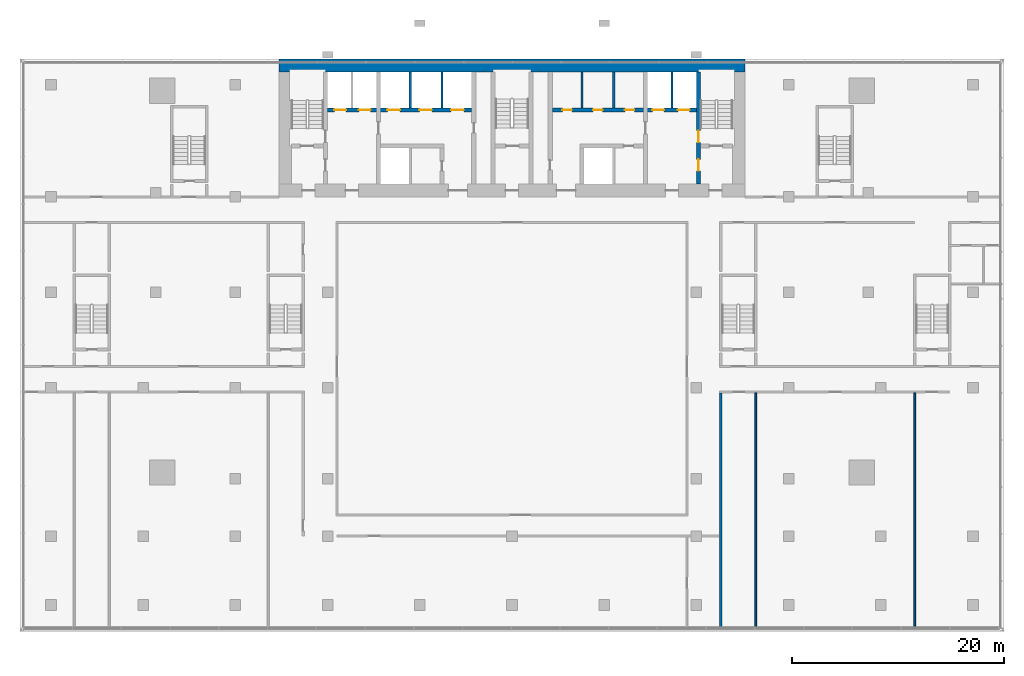
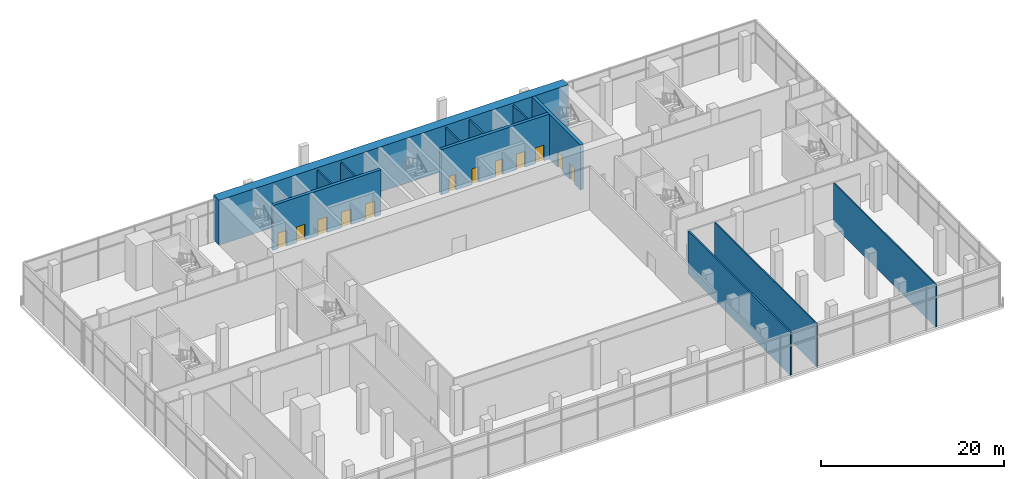
# One storey, part 14 of 21: 12 doors, 12 walls, 12 openings.
"""IFC4 building model written with IfcOpenShell, lengths in metres."""

from ifc_helpers import new_model, si_unit, direction, frame, frame_2d, origin, place, context, subcontext, project, spatial, rectangle, extrude, material, layer, layer_set, type_object, element, fill, save


model = new_model("IFC4")

# Units and contexts
model_context = context("Model", 3, precision=1e-05, world=origin(), true_north=direction((0.0, 1.0)))
body_context = subcontext(model_context, "Body", "Model", "MODEL_VIEW")
ifc_project = project(units=[si_unit("LENGTHUNIT", "METRE"), si_unit("AREAUNIT", "SQUARE_METRE"), si_unit("VOLUMEUNIT", "CUBIC_METRE"), si_unit("PLANEANGLEUNIT", "RADIAN"), si_unit("MASSUNIT", "GRAM", prefix="KILO")], contexts=[model_context])

# Site, building, storey
site_placement = place(None, origin())
site = spatial("IfcSite", under=ifc_project, at=site_placement, CompositionType="ELEMENT")
building_placement = place(site_placement, origin())
building = spatial("IfcBuilding", under=site, at=building_placement, Name="Bicima Exchange Tower", CompositionType="ELEMENT")
storey_placement = place(building_placement, frame((0.0, 0.0, 8.0)))
storey = spatial("IfcBuildingStorey", under=building, at=storey_placement, Name="L01", CompositionType="ELEMENT", Elevation=8.0)

# Walls
ifc_material_1 = material(Name="Gypsum board partition")
ifc_layer_1 = layer(ifc_material_1, 0.199951171875)
ifc_layer_set_1 = layer_set([ifc_layer_1], Name="Gypsum board partition")
wall_type_1 = type_object("IfcWallType", Name="Fire-rated gypsum partition 200 EI120", PredefinedType="PARTITIONING", material=ifc_layer_set_1)
for number, where, z_axis, x_axis, name in (
    (1, (-9.60009765625, -4.60009765625, 0.0), (0.0, 0.0, 1.0), (0.0, 1.0, 0.0), "partition wall 12"),
    (2, (-6.60009765625, -4.60009765625, 0.0), (0.0, 0.0, 1.0), (0.0, 1.0, 0.0), "partition wall 14"),
    (3, (15.10009765625, -4.60009765625, 0.0), (0.0, 0.0, 1.0), (0.0, 1.0, 0.0), "partition wall 24"),
):
    element("IfcWall", number, at=place(storey_placement, frame(where, z_axis=z_axis, x_axis=x_axis)), inside=storey, type_object=wall_type_1, Name=name, PredefinedType="PARTITIONING", context=body_context, shape_type="SweptSolid", body=[
        extrude(rectangle(XDim=3.400146484375, YDim=0.199951171875, at=frame_2d((1.7001953125, 0.0))), origin(), (0.0, 0.0, 1.0), 5.699951171875),
    ])
ifc_layer_2 = layer(ifc_material_1, 0.199951171875)
ifc_layer_set_2 = layer_set([ifc_layer_2], Name="Gypsum board partition")
wall_type_2 = type_object("IfcWallType", Name="Fire-rated gypsum partition 200 EI60", PredefinedType="PARTITIONING", material=ifc_layer_set_2)
wall_1_placement = place(storey_placement, frame((19.699951171875, -53.7900390625, 0.0), z_axis=(0.0, 0.0, 1.0), x_axis=(0.0, 1.0, 0.0)))
element("IfcWall", 4, at=wall_1_placement, inside=storey, type_object=wall_type_2, Name="partition wall 42", PredefinedType="PARTITIONING", context=body_context, shape_type="SweptSolid", body=[
    extrude(rectangle(XDim=22.2900390625, YDim=0.199951171875, at=frame_2d((11.14501953125, 0.0))), origin(), (0.0, 0.0, 1.0), 5.699951171875),
])
for number, where, z_axis, x_axis, name in (
    (5, (6.60009765625, -4.60009765625, 0.0), (0.0, 0.0, 1.0), (0.0, 1.0, 0.0), "partition wall 20"),
    (6, (9.60009765625, -4.60009765625, 0.0), (0.0, 0.0, 1.0), (0.0, 1.0, 0.0), "partition wall 22"),
):
    element("IfcWall", number, at=place(storey_placement, frame(where, z_axis=z_axis, x_axis=x_axis)), inside=storey, type_object=wall_type_2, Name=name, PredefinedType="PARTITIONING", context=body_context, shape_type="SweptSolid", body=[
        extrude(rectangle(XDim=3.400146484375, YDim=0.199951171875, at=frame_2d((1.7001953125, 0.0))), origin(), (0.0, 0.0, 1.0), 5.699951171875),
    ])
ifc_layer_3 = layer(ifc_material_1, 0.14990234375)
ifc_layer_set_3 = layer_set([ifc_layer_3], Name="Gypsum board partition")
wall_type_3 = type_object("IfcWallType", Name="Gypsum partition 150", PredefinedType="PARTITIONING", material=ifc_layer_set_3)
for number, where, z_axis, x_axis, name in (
    (7, (23.0, -53.7900390625, 0.0), (0.0, 0.0, 1.0), (0.0, 1.0, 0.0), "partition wall 44"),
    (8, (38.0, -53.7900390625, 0.0), (0.0, 0.0, 1.0), (0.0, 1.0, 0.0), "partition wall 48"),
):
    element("IfcWall", number, at=place(storey_placement, frame(where, z_axis=z_axis, x_axis=x_axis)), inside=storey, type_object=wall_type_3, Name=name, PredefinedType="PARTITIONING", context=body_context, shape_type="SweptSolid", body=[
        extrude(rectangle(XDim=22.2900390625, YDim=0.14990234375, at=frame_2d((11.14501953125, 0.0))), origin(), (0.0, 0.0, 1.0), 5.699951171875),
    ])
ifc_material_2 = material(Name="Concrete C60/75", Category="concrete")
ifc_layer_4 = layer(ifc_material_2, 1.199951171875)
ifc_layer_set_4 = layer_set([ifc_layer_4], Name="Concrete C60/75")
wall_type_4 = type_object("IfcWallType", Name="RC core wall 1200 C60/75", PredefinedType="SHEAR", material=ifc_layer_set_4)
wall_2_placement = place(storey_placement, frame((-22.0, -0.60009765625, 0.0), z_axis=(0.0, 0.0, 1.0), x_axis=(1.0, 0.0, 0.0)))
element("IfcWall", 9, at=wall_2_placement, inside=storey, type_object=wall_type_4, Name="Core wall north", PredefinedType="SHEAR", context=body_context, shape_type="SweptSolid", body=[
    extrude(rectangle(XDim=44.0, YDim=1.199951171875, at=frame_2d((22.0, 0.0))), origin(), (0.0, 0.0, 1.0), 6.0),
])

# Wall, openings, doors
ifc_material_3 = material(Name="Concrete C50/60", Category="concrete")
ifc_layer_5 = layer(ifc_material_3, 0.39990234375)
ifc_layer_set_5 = layer_set([ifc_layer_5], Name="Concrete C50/60")
wall_type_5 = type_object("IfcWallType", Name="RC core wall 400 C50/60", PredefinedType="SHEAR", material=ifc_layer_set_5)
wall_3_placement = place(storey_placement, frame((17.60009765625, -11.800048828125, 0.0), z_axis=(0.0, 0.0, 1.0), x_axis=(0.0, 1.0, 0.0)))
wall_3 = element("IfcWall", 10, at=wall_3_placement, inside=storey, type_object=wall_type_5, Name="stair wall 25", PredefinedType="SHEAR", context=body_context, shape_type="SweptSolid", body=[
    extrude(rectangle(XDim=10.60009765625, YDim=0.39990234375, at=frame_2d((5.300048828125, 0.0))), origin(), (0.0, 0.0, 1.0), 6.0),
])
opening_1_placement = place(wall_3_placement, frame((1.25, 0.0, 0.0)))
opening_1 = element("IfcOpeningElement", 11, at=opening_1_placement, cuts=wall_3, Name="Opening L01-C05", PredefinedType="OPENING", context=body_context, shape_type="SweptSolid", body=[
    extrude(rectangle(XDim=1.10009765625, YDim=2.10009765625, at=frame_2d((0.550048828125, 1.050048828125))), frame((0.0, 0.2119140625, 0.0), z_axis=(0.0, -1.0, 0.0), x_axis=(1.0, 0.0, 0.0)), (0.0, 0.0, 1.0), 0.423828125),
])
opening_2_placement = place(wall_3_placement, frame((3.949951171875, 0.0, 0.0)))
opening_2 = element("IfcOpeningElement", 12, at=opening_2_placement, cuts=wall_3, Name="Opening L01-C08", PredefinedType="OPENING", context=body_context, shape_type="SweptSolid", body=[
    extrude(rectangle(XDim=1.10009765625, YDim=2.10009765625, at=frame_2d((0.550048828125, 1.050048828125))), frame((0.0, 0.2119140625, 0.0), z_axis=(0.0, -1.0, 0.0), x_axis=(1.0, 0.0, 0.0)), (0.0, 0.0, 1.0), 0.423828125),
])
ifc_material_4 = material(Name="Steel fire door leaf", Category="steel")
door_type_1 = type_object("IfcDoorType", Name="Door 1100 swing FD60S", OperationType="SINGLE_SWING_LEFT", PredefinedType="DOOR", material=ifc_material_4)
door_1_placement = place(opening_1_placement, origin())
door_1 = element("IfcDoor", 13, at=door_1_placement, inside=storey, type_object=door_type_1, Name="Core door", OperationType="SINGLE_SWING_LEFT", OverallHeight=2.10009765625, OverallWidth=1.10009765625, PredefinedType="DOOR", context=body_context, shape_type="SweptSolid", body=[
    extrude(rectangle(XDim=1.10009765625, YDim=2.10009765625, at=frame_2d((0.550048828125, 1.050048828125))), frame((0.0, 0.02490234375, 0.0), z_axis=(0.0, -1.0, 0.0), x_axis=(1.0, 0.0, 0.0)), (0.0, 0.0, 1.0), 0.050048828125),
])
fill(opening_1, door_1)
door_2_placement = place(opening_2_placement, origin())
door_2 = element("IfcDoor", 14, at=door_2_placement, inside=storey, type_object=door_type_1, Name="Core door", OperationType="SINGLE_SWING_RIGHT", OverallHeight=2.10009765625, OverallWidth=1.10009765625, PredefinedType="DOOR", context=body_context, shape_type="SweptSolid", body=[
    extrude(rectangle(XDim=1.10009765625, YDim=2.10009765625, at=frame_2d((0.550048828125, 1.050048828125))), frame((0.0, 0.02490234375, 0.0), z_axis=(0.0, -1.0, 0.0), x_axis=(1.0, 0.0, 0.0)), (0.0, 0.0, 1.0), 0.050048828125),
])
fill(opening_2, door_2)

ifc_layer_6 = layer(ifc_material_2, 0.39990234375)
ifc_layer_set_6 = layer_set([ifc_layer_6], Name="Concrete C60/75")
wall_type_6 = type_object("IfcWallType", Name="RC core wall 400 C60/75", PredefinedType="SHEAR", material=ifc_layer_set_6)
wall_4_placement = place(storey_placement, frame((-17.39990234375, -4.800048828125, 0.0), z_axis=(0.0, 0.0, 1.0), x_axis=(1.0, 0.0, 0.0)))
wall_4 = element("IfcWall", 15, at=wall_4_placement, inside=storey, type_object=wall_type_6, Name="shear wall 6", PredefinedType="SHEAR", context=body_context, shape_type="SweptSolid", body=[
    extrude(rectangle(XDim=13.599853515625, YDim=0.39990234375, at=frame_2d((6.7998046875, 0.0))), origin(), (0.0, 0.0, 1.0), 6.0),
])
opening_3_placement = place(wall_4_placement, frame((0.64990234375, 0.0, 0.0)))
opening_3 = element("IfcOpeningElement", 16, at=opening_3_placement, cuts=wall_4, Name="Opening LD-FF1-L01", PredefinedType="OPENING", context=body_context, shape_type="SweptSolid", body=[
    extrude(rectangle(XDim=1.10009765625, YDim=2.10009765625, at=frame_2d((0.550048828125, 1.050048828125))), frame((0.0, 0.2119140625, 0.0), z_axis=(0.0, -1.0, 0.0), x_axis=(1.0, 0.0, 0.0)), (0.0, 0.0, 1.0), 0.423828125),
])
opening_4_placement = place(wall_4_placement, frame((2.949951171875, 0.0, 0.0)))
opening_4 = element("IfcOpeningElement", 17, at=opening_4_placement, cuts=wall_4, Name="Opening LD-FF3-L01", PredefinedType="OPENING", context=body_context, shape_type="SweptSolid", body=[
    extrude(rectangle(XDim=1.10009765625, YDim=2.10009765625, at=frame_2d((0.550048828125, 1.050048828125))), frame((0.0, 0.2119140625, 0.0), z_axis=(0.0, -1.0, 0.0), x_axis=(1.0, 0.0, 0.0)), (0.0, 0.0, 1.0), 0.423828125),
])
opening_5_placement = place(wall_4_placement, frame((5.64990234375, 0.0, 0.0)))
opening_5 = element("IfcOpeningElement", 18, at=opening_5_placement, cuts=wall_4, Name="Opening LD-LB1-L01", PredefinedType="OPENING", context=body_context, shape_type="SweptSolid", body=[
    extrude(rectangle(XDim=1.199951171875, YDim=2.10009765625, at=frame_2d((0.60009765625, 1.050048828125))), frame((0.0, 0.2119140625, 0.0), z_axis=(0.0, -1.0, 0.0), x_axis=(1.0, 0.0, 0.0)), (0.0, 0.0, 1.0), 0.423828125),
])
opening_6_placement = place(wall_4_placement, frame((8.64990234375, 0.0, 0.0)))
opening_6 = element("IfcOpeningElement", 19, at=opening_6_placement, cuts=wall_4, Name="Opening LD-LB2-L01", PredefinedType="OPENING", context=body_context, shape_type="SweptSolid", body=[
    extrude(rectangle(XDim=1.199951171875, YDim=2.10009765625, at=frame_2d((0.60009765625, 1.050048828125))), frame((0.0, 0.2119140625, 0.0), z_axis=(0.0, -1.0, 0.0), x_axis=(1.0, 0.0, 0.0)), (0.0, 0.0, 1.0), 0.423828125),
])
opening_7_placement = place(wall_4_placement, frame((11.64990234375, 0.0, 0.0)))
opening_7 = element("IfcOpeningElement", 20, at=opening_7_placement, cuts=wall_4, Name="Opening LD-LB3-L01", PredefinedType="OPENING", context=body_context, shape_type="SweptSolid", body=[
    extrude(rectangle(XDim=1.199951171875, YDim=2.10009765625, at=frame_2d((0.60009765625, 1.050048828125))), frame((0.0, 0.2119140625, 0.0), z_axis=(0.0, -1.0, 0.0), x_axis=(1.0, 0.0, 0.0)), (0.0, 0.0, 1.0), 0.423828125),
])
ifc_material_5 = material(Name="Stainless steel", Category="steel")
door_type_2 = type_object("IfcDoorType", Name="Lift landing door 1100 sliding", OperationType="DOUBLE_DOOR_SLIDING", PredefinedType="DOOR", material=ifc_material_5)
door_3_placement = place(opening_3_placement, origin())
door_3 = element("IfcDoor", 21, at=door_3_placement, inside=storey, type_object=door_type_2, Name="Lift landing door FF1", OperationType="DOUBLE_DOOR_SLIDING", OverallHeight=2.10009765625, OverallWidth=1.10009765625, PredefinedType="DOOR", context=body_context, shape_type="SweptSolid", body=[
    extrude(rectangle(XDim=1.10009765625, YDim=2.10009765625, at=frame_2d((0.550048828125, 1.050048828125))), frame((0.0, 0.02490234375, 0.0), z_axis=(0.0, -1.0, 0.0), x_axis=(1.0, 0.0, 0.0)), (0.0, 0.0, 1.0), 0.050048828125),
])
fill(opening_3, door_3)
door_4_placement = place(opening_4_placement, origin())
door_4 = element("IfcDoor", 22, at=door_4_placement, inside=storey, type_object=door_type_2, Name="Lift landing door FF3", OperationType="DOUBLE_DOOR_SLIDING", OverallHeight=2.10009765625, OverallWidth=1.10009765625, PredefinedType="DOOR", context=body_context, shape_type="SweptSolid", body=[
    extrude(rectangle(XDim=1.10009765625, YDim=2.10009765625, at=frame_2d((0.550048828125, 1.050048828125))), frame((0.0, 0.02490234375, 0.0), z_axis=(0.0, -1.0, 0.0), x_axis=(1.0, 0.0, 0.0)), (0.0, 0.0, 1.0), 0.050048828125),
])
fill(opening_4, door_4)
door_type_3 = type_object("IfcDoorType", Name="Lift landing door 1200 sliding", OperationType="DOUBLE_DOOR_SLIDING", PredefinedType="DOOR", material=ifc_material_5)
door_5_placement = place(opening_5_placement, origin())
door_5 = element("IfcDoor", 23, at=door_5_placement, inside=storey, type_object=door_type_3, Name="Lift landing door LB1", OperationType="DOUBLE_DOOR_SLIDING", OverallHeight=2.10009765625, OverallWidth=1.199951171875, PredefinedType="DOOR", context=body_context, shape_type="SweptSolid", body=[
    extrude(rectangle(XDim=1.199951171875, YDim=2.10009765625, at=frame_2d((0.60009765625, 1.050048828125))), frame((0.0, 0.02490234375, 0.0), z_axis=(0.0, -1.0, 0.0), x_axis=(1.0, 0.0, 0.0)), (0.0, 0.0, 1.0), 0.050048828125),
])
fill(opening_5, door_5)
door_6_placement = place(opening_6_placement, origin())
door_6 = element("IfcDoor", 24, at=door_6_placement, inside=storey, type_object=door_type_3, Name="Lift landing door LB2", OperationType="DOUBLE_DOOR_SLIDING", OverallHeight=2.10009765625, OverallWidth=1.199951171875, PredefinedType="DOOR", context=body_context, shape_type="SweptSolid", body=[
    extrude(rectangle(XDim=1.199951171875, YDim=2.10009765625, at=frame_2d((0.60009765625, 1.050048828125))), frame((0.0, 0.02490234375, 0.0), z_axis=(0.0, -1.0, 0.0), x_axis=(1.0, 0.0, 0.0)), (0.0, 0.0, 1.0), 0.050048828125),
])
fill(opening_6, door_6)
door_7_placement = place(opening_7_placement, origin())
door_7 = element("IfcDoor", 25, at=door_7_placement, inside=storey, type_object=door_type_3, Name="Lift landing door LB3", OperationType="DOUBLE_DOOR_SLIDING", OverallHeight=2.10009765625, OverallWidth=1.199951171875, PredefinedType="DOOR", context=body_context, shape_type="SweptSolid", body=[
    extrude(rectangle(XDim=1.199951171875, YDim=2.10009765625, at=frame_2d((0.60009765625, 1.050048828125))), frame((0.0, 0.02490234375, 0.0), z_axis=(0.0, -1.0, 0.0), x_axis=(1.0, 0.0, 0.0)), (0.0, 0.0, 1.0), 0.050048828125),
])
fill(opening_7, door_7)

wall_5_placement = place(storey_placement, frame((3.800048828125, -4.800048828125, 0.0), z_axis=(0.0, 0.0, 1.0), x_axis=(1.0, 0.0, 0.0)))
wall_5 = element("IfcWall", 26, at=wall_5_placement, inside=storey, type_object=wall_type_6, Name="shear wall 7", PredefinedType="SHEAR", context=body_context, shape_type="SweptSolid", body=[
    extrude(rectangle(XDim=13.599853515625, YDim=0.39990234375, at=frame_2d((6.7998046875, 0.0))), origin(), (0.0, 0.0, 1.0), 6.0),
])
opening_8_placement = place(wall_5_placement, frame((9.449951171875, 0.0, 0.0)))
opening_8 = element("IfcOpeningElement", 27, at=opening_8_placement, cuts=wall_5, Name="Opening LD-FF2-L01", PredefinedType="OPENING", context=body_context, shape_type="SweptSolid", body=[
    extrude(rectangle(XDim=1.10009765625, YDim=2.10009765625, at=frame_2d((0.550048828125, 1.050048828125))), frame((0.0, 0.2119140625, 0.0), z_axis=(0.0, -1.0, 0.0), x_axis=(1.0, 0.0, 0.0)), (0.0, 0.0, 1.0), 0.423828125),
])
opening_9_placement = place(wall_5_placement, frame((11.85009765625, 0.0, 0.0)))
opening_9 = element("IfcOpeningElement", 28, at=opening_9_placement, cuts=wall_5, Name="Opening LD-SV1-L01", PredefinedType="OPENING", context=body_context, shape_type="SweptSolid", body=[
    extrude(rectangle(XDim=1.10009765625, YDim=2.10009765625, at=frame_2d((0.550048828125, 1.050048828125))), frame((0.0, 0.2119140625, 0.0), z_axis=(0.0, -1.0, 0.0), x_axis=(1.0, 0.0, 0.0)), (0.0, 0.0, 1.0), 0.423828125),
])
opening_10_placement = place(wall_5_placement, frame((0.949951171875, 0.0, 0.0)))
opening_10 = element("IfcOpeningElement", 29, at=opening_10_placement, cuts=wall_5, Name="Opening L01-C12", PredefinedType="OPENING", context=body_context, shape_type="SweptSolid", body=[
    extrude(rectangle(XDim=0.89990234375, YDim=2.10009765625, at=frame_2d((0.449951171875, 1.050048828125))), frame((0.0, 0.2119140625, 0.0), z_axis=(0.0, -1.0, 0.0), x_axis=(1.0, 0.0, 0.0)), (0.0, 0.0, 1.0), 0.423828125),
])
opening_11_placement = place(wall_5_placement, frame((3.85009765625, 0.0, 0.0)))
opening_11 = element("IfcOpeningElement", 30, at=opening_11_placement, cuts=wall_5, Name="Opening L01-C13", PredefinedType="OPENING", context=body_context, shape_type="SweptSolid", body=[
    extrude(rectangle(XDim=0.89990234375, YDim=2.10009765625, at=frame_2d((0.449951171875, 1.050048828125))), frame((0.0, 0.2119140625, 0.0), z_axis=(0.0, -1.0, 0.0), x_axis=(1.0, 0.0, 0.0)), (0.0, 0.0, 1.0), 0.423828125),
])
opening_12_placement = place(wall_5_placement, frame((6.85009765625, 0.0, 0.0)))
opening_12 = element("IfcOpeningElement", 31, at=opening_12_placement, cuts=wall_5, Name="Opening L01-C14", PredefinedType="OPENING", context=body_context, shape_type="SweptSolid", body=[
    extrude(rectangle(XDim=0.89990234375, YDim=2.10009765625, at=frame_2d((0.449951171875, 1.050048828125))), frame((0.0, 0.2119140625, 0.0), z_axis=(0.0, -1.0, 0.0), x_axis=(1.0, 0.0, 0.0)), (0.0, 0.0, 1.0), 0.423828125),
])
door_type_4 = type_object("IfcDoorType", Name="Door 900 swing FD30S", OperationType="SINGLE_SWING_LEFT", PredefinedType="DOOR", material=ifc_material_4)
door_8_placement = place(opening_10_placement, origin())
door_8 = element("IfcDoor", 32, at=door_8_placement, inside=storey, type_object=door_type_4, Name="Core door", OperationType="SINGLE_SWING_RIGHT", OverallHeight=2.10009765625, OverallWidth=0.89990234375, PredefinedType="DOOR", context=body_context, shape_type="SweptSolid", body=[
    extrude(rectangle(XDim=0.89990234375, YDim=2.10009765625, at=frame_2d((0.449951171875, 1.050048828125))), frame((0.0, 0.02490234375, 0.0), z_axis=(0.0, -1.0, 0.0), x_axis=(1.0, 0.0, 0.0)), (0.0, 0.0, 1.0), 0.050048828125),
])
fill(opening_10, door_8)
door_9_placement = place(opening_11_placement, origin())
door_9 = element("IfcDoor", 33, at=door_9_placement, inside=storey, type_object=door_type_4, Name="Core door", OperationType="SINGLE_SWING_LEFT", OverallHeight=2.10009765625, OverallWidth=0.89990234375, PredefinedType="DOOR", context=body_context, shape_type="SweptSolid", body=[
    extrude(rectangle(XDim=0.89990234375, YDim=2.10009765625, at=frame_2d((0.449951171875, 1.050048828125))), frame((0.0, 0.02490234375, 0.0), z_axis=(0.0, -1.0, 0.0), x_axis=(1.0, 0.0, 0.0)), (0.0, 0.0, 1.0), 0.050048828125),
])
fill(opening_11, door_9)
door_10_placement = place(opening_12_placement, origin())
door_10 = element("IfcDoor", 34, at=door_10_placement, inside=storey, type_object=door_type_4, Name="Core door", OperationType="SINGLE_SWING_RIGHT", OverallHeight=2.10009765625, OverallWidth=0.89990234375, PredefinedType="DOOR", context=body_context, shape_type="SweptSolid", body=[
    extrude(rectangle(XDim=0.89990234375, YDim=2.10009765625, at=frame_2d((0.449951171875, 1.050048828125))), frame((0.0, 0.02490234375, 0.0), z_axis=(0.0, -1.0, 0.0), x_axis=(1.0, 0.0, 0.0)), (0.0, 0.0, 1.0), 0.050048828125),
])
fill(opening_12, door_10)
door_11_placement = place(opening_8_placement, origin())
door_11 = element("IfcDoor", 35, at=door_11_placement, inside=storey, type_object=door_type_2, Name="Lift landing door FF2", OperationType="DOUBLE_DOOR_SLIDING", OverallHeight=2.10009765625, OverallWidth=1.10009765625, PredefinedType="DOOR", context=body_context, shape_type="SweptSolid", body=[
    extrude(rectangle(XDim=1.10009765625, YDim=2.10009765625, at=frame_2d((0.550048828125, 1.050048828125))), frame((0.0, 0.02490234375, 0.0), z_axis=(0.0, -1.0, 0.0), x_axis=(1.0, 0.0, 0.0)), (0.0, 0.0, 1.0), 0.050048828125),
])
fill(opening_8, door_11)
door_12_placement = place(opening_9_placement, origin())
door_12 = element("IfcDoor", 36, at=door_12_placement, inside=storey, type_object=door_type_2, Name="Lift landing door SV1", OperationType="DOUBLE_DOOR_SLIDING", OverallHeight=2.10009765625, OverallWidth=1.10009765625, PredefinedType="DOOR", context=body_context, shape_type="SweptSolid", body=[
    extrude(rectangle(XDim=1.10009765625, YDim=2.10009765625, at=frame_2d((0.550048828125, 1.050048828125))), frame((0.0, 0.02490234375, 0.0), z_axis=(0.0, -1.0, 0.0), x_axis=(1.0, 0.0, 0.0)), (0.0, 0.0, 1.0), 0.050048828125),
])
fill(opening_9, door_12)

save(model, "model.ifc")
